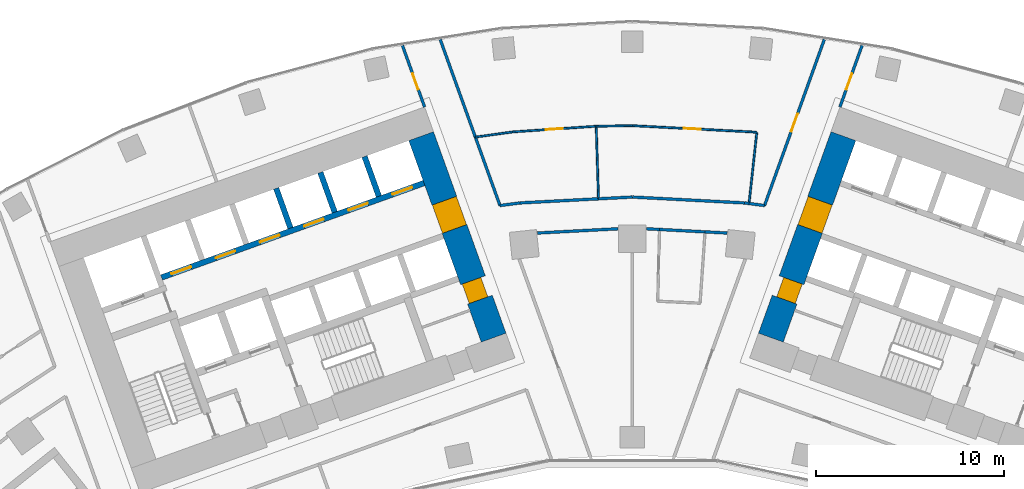
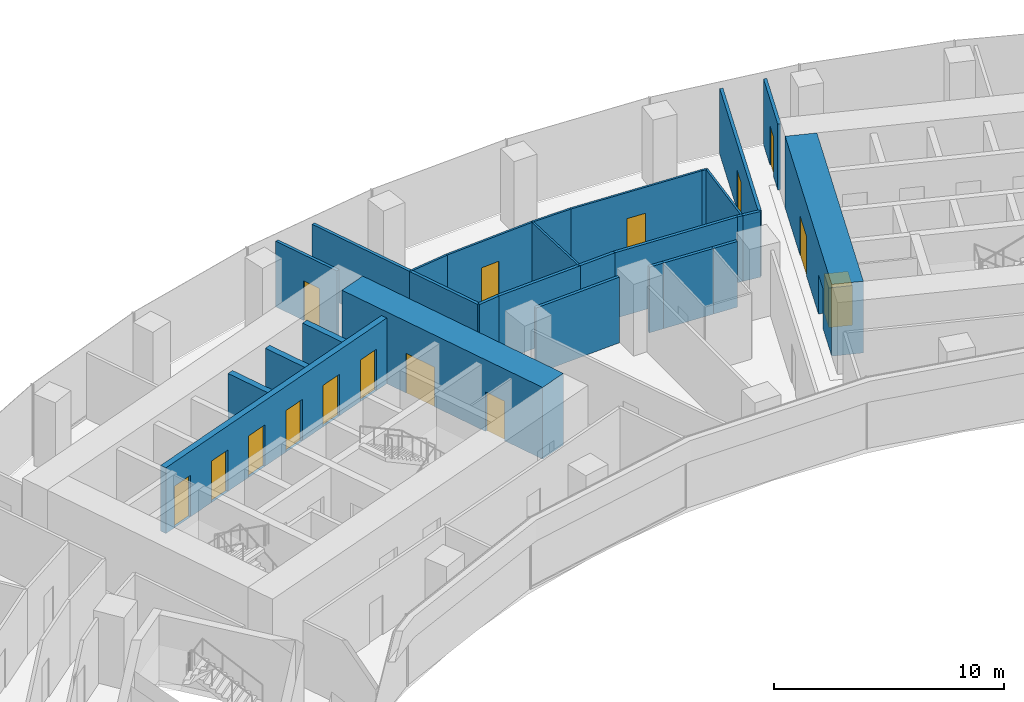
# One storey, part 16 of 21: 28 walls, 15 doors, 15 openings.
"""IFC4 building model written with IfcOpenShell, lengths in metres."""

from ifc_helpers import new_model, si_unit, direction, frame, frame_2d, origin, place, context, subcontext, project, spatial, rectangle, extrude, material, layer, layer_set, type_object, element, fill, save


model = new_model("IFC4")

# Units and contexts
model_context = context("Model", 3, precision=1e-05, world=origin(), true_north=direction((0.0, 1.0)))
body_context = subcontext(model_context, "Body", "Model", "MODEL_VIEW")
ifc_project = project(units=[si_unit("LENGTHUNIT", "METRE"), si_unit("AREAUNIT", "SQUARE_METRE"), si_unit("VOLUMEUNIT", "CUBIC_METRE"), si_unit("PLANEANGLEUNIT", "RADIAN"), si_unit("MASSUNIT", "GRAM", prefix="KILO")], contexts=[model_context])

# Site, building, storey
site_placement = place(None, origin())
site = spatial("IfcSite", under=ifc_project, at=site_placement, CompositionType="ELEMENT")
building_placement = place(site_placement, origin())
building = spatial("IfcBuilding", under=site, at=building_placement, Name="Stone Belt Terrace Tower", CompositionType="ELEMENT")
storey_placement = place(building_placement, frame((0.0, 0.0, 94.60009765625)))
storey = spatial("IfcBuildingStorey", under=building, at=storey_placement, Name="L22", CompositionType="ELEMENT", Elevation=94.60009765625)

# Wall, openings, doors
ifc_material_1 = material(Name="Concrete B80", Category="concrete")
ifc_layer_1 = layer(ifc_material_1, 1.39990234375)
ifc_layer_set_1 = layer_set([ifc_layer_1], Name="Core wall 1400 B80")
wall_type_1 = type_object("IfcWallType", Name="Core wall 1400 B80", PredefinedType="SHEAR", material=ifc_layer_set_1)
wall_1_placement = place(storey_placement, frame((-7.379150390625, 49.73974609375, 0.0), z_axis=(0.0, 0.0, 1.0), x_axis=(-0.338625431531, 0.940921259788, 0.0)))
wall_1 = element("IfcWall", 1, at=wall_1_placement, inside=storey, type_object=wall_type_1, Name="Core A wall end_b L22", PredefinedType="SHEAR", context=body_context, shape_type="SweptSolid", body=[
    extrude(rectangle(XDim=11.400146484375, YDim=1.39990234375, at=frame_2d((5.7001953125, 0.0))), origin(), (0.0, 0.0, 1.0), 3.7998046875),
])
opening_1_placement = place(wall_1_placement, frame((6.14990234375, 0.0, 0.0)))
opening_1 = element("IfcOpeningElement", 2, at=opening_1_placement, cuts=wall_1, Name="Opening L22-C02", PredefinedType="OPENING", context=body_context, shape_type="SweptSolid", body=[
    extrude(rectangle(XDim=1.60009765625, YDim=2.10009765625, at=frame_2d((0.800048828125, 1.050048828125))), frame((0.0, 0.7099609375, 0.0), z_axis=(0.0, -1.0, 0.0), x_axis=(1.0, 0.0, 0.0)), (0.0, 0.0, 1.0), 1.419921875),
])
opening_2_placement = place(wall_1_placement, frame((2.14990234375, 0.0, 0.0)))
opening_2 = element("IfcOpeningElement", 3, at=opening_2_placement, cuts=wall_1, Name="Opening L22-C08", PredefinedType="OPENING", context=body_context, shape_type="SweptSolid", body=[
    extrude(rectangle(XDim=1.10009765625, YDim=2.10009765625, at=frame_2d((0.550048828125, 1.050048828125))), frame((0.0, 0.7099609375, 0.0), z_axis=(0.0, -1.0, 0.0), x_axis=(1.0, 0.0, 0.0)), (0.0, 0.0, 1.0), 1.419921875),
])
ifc_material_2 = material(Name="Timber door leaf", Category="wood")
door_type_1 = type_object("IfcDoorType", Name="Core room door 1100", OperationType="SINGLE_SWING_LEFT", PredefinedType="DOOR", material=ifc_material_2)
door_1_placement = place(opening_2_placement, origin())
door_1 = element("IfcDoor", 4, at=door_1_placement, inside=storey, type_object=door_type_1, Name="Door to Accessible WC core A", OperationType="SINGLE_SWING_RIGHT", OverallHeight=2.10009765625, OverallWidth=1.10009765625, PredefinedType="DOOR", context=body_context, shape_type="SweptSolid", body=[
    extrude(rectangle(XDim=1.10009765625, YDim=2.10009765625, at=frame_2d((0.550048828125, 1.050048828125))), frame((0.0, 0.60498046875, 0.0), z_axis=(0.0, -1.0, 0.0), x_axis=(1.0, 0.0, 0.0)), (0.0, 0.0, 1.0), 1.050048828125),
])
fill(opening_2, door_1)
ifc_material_3 = material(Name="Glazed aluminium door leaf", Category="aluminium")
door_type_2 = type_object("IfcDoorType", Name="Lift lobby entrance door 1600", OperationType="DOUBLE_DOOR_SINGLE_SWING", PredefinedType="DOOR", material=ifc_material_3)
door_2_placement = place(opening_1_placement, origin())
door_2 = element("IfcDoor", 5, at=door_2_placement, inside=storey, type_object=door_type_2, Name="Lift lobby entrance door core A", OperationType="DOUBLE_DOOR_SINGLE_SWING", OverallHeight=2.10009765625, OverallWidth=1.60009765625, PredefinedType="DOOR", context=body_context, shape_type="SweptSolid", body=[
    extrude(rectangle(XDim=1.60009765625, YDim=2.10009765625, at=frame_2d((0.800048828125, 1.050048828125))), frame((0.0, 0.68017578125, 0.0), z_axis=(0.0, -1.0, 0.0), x_axis=(1.0, 0.0, 0.0)), (0.0, 0.0, 1.0), 1.360107421875),
])
fill(opening_1, door_2)

wall_2_placement = place(storey_placement, frame((7.379150390625, 49.73974609375, 0.0), z_axis=(0.0, 0.0, 1.0), x_axis=(0.338625431531, 0.940921259788, 0.0)))
wall_2 = element("IfcWall", 6, at=wall_2_placement, inside=storey, type_object=wall_type_1, Name="Core B wall end_a L22", PredefinedType="SHEAR", context=body_context, shape_type="SweptSolid", body=[
    extrude(rectangle(XDim=11.400146484375, YDim=1.39990234375, at=frame_2d((5.7001953125, 0.0))), origin(), (0.0, 0.0, 1.0), 3.7998046875),
])
opening_3_placement = place(wall_2_placement, frame((6.14990234375, 0.0, 0.0)))
opening_3 = element("IfcOpeningElement", 7, at=opening_3_placement, cuts=wall_2, Name="Opening L22-C11", PredefinedType="OPENING", context=body_context, shape_type="SweptSolid", body=[
    extrude(rectangle(XDim=1.60009765625, YDim=2.10009765625, at=frame_2d((0.800048828125, 1.050048828125))), frame((0.0, 0.7099609375, 0.0), z_axis=(0.0, -1.0, 0.0), x_axis=(1.0, 0.0, 0.0)), (0.0, 0.0, 1.0), 1.419921875),
])
opening_4_placement = place(wall_2_placement, frame((2.14990234375, 0.0, 0.0)))
opening_4 = element("IfcOpeningElement", 8, at=opening_4_placement, cuts=wall_2, Name="Opening L22-C17", PredefinedType="OPENING", context=body_context, shape_type="SweptSolid", body=[
    extrude(rectangle(XDim=1.10009765625, YDim=2.10009765625, at=frame_2d((0.550048828125, 1.050048828125))), frame((0.0, 0.7099609375, 0.0), z_axis=(0.0, -1.0, 0.0), x_axis=(1.0, 0.0, 0.0)), (0.0, 0.0, 1.0), 1.419921875),
])
door_3_placement = place(opening_4_placement, origin())
door_3 = element("IfcDoor", 9, at=door_3_placement, inside=storey, type_object=door_type_1, Name="Door to Accessible WC core B", OperationType="SINGLE_SWING_LEFT", OverallHeight=2.10009765625, OverallWidth=1.10009765625, PredefinedType="DOOR", context=body_context, shape_type="SweptSolid", body=[
    extrude(rectangle(XDim=1.10009765625, YDim=2.10009765625, at=frame_2d((0.550048828125, 1.050048828125))), frame((0.0, 0.44482421875, 0.0), z_axis=(0.0, -1.0, 0.0), x_axis=(1.0, 0.0, 0.0)), (0.0, 0.0, 1.0), 1.050048828125),
])
fill(opening_4, door_3)
door_4_placement = place(opening_3_placement, origin())
door_4 = element("IfcDoor", 10, at=door_4_placement, inside=storey, type_object=door_type_2, Name="Lift lobby entrance door core B", OperationType="DOUBLE_DOOR_SINGLE_SWING", OverallHeight=2.10009765625, OverallWidth=1.60009765625, PredefinedType="DOOR", context=body_context, shape_type="SweptSolid", body=[
    extrude(rectangle(XDim=1.60009765625, YDim=2.10009765625, at=frame_2d((0.800048828125, 1.050048828125))), frame((0.0, 0.68017578125, 0.0), z_axis=(0.0, -1.0, 0.0), x_axis=(1.0, 0.0, 0.0)), (0.0, 0.0, 1.0), 1.360107421875),
])
fill(opening_3, door_4)

ifc_layer_2 = layer(ifc_material_1, 0.300048828125)
ifc_layer_set_2 = layer_set([ifc_layer_2], Name="Lift shaft wall 300")
wall_type_2 = type_object("IfcWallType", Name="Lift shaft wall 300", PredefinedType="SHEAR", material=ifc_layer_set_2)
wall_3_placement = place(storey_placement, frame((-25.05810546875, 52.9423828125, 0.0), z_axis=(0.0, 0.0, 1.0), x_axis=(0.940918215764, 0.338633889685, 0.0)))
wall_3 = element("IfcWall", 11, at=wall_3_placement, inside=storey, type_object=wall_type_2, Name="Core A wall", PredefinedType="SHEAR", context=body_context, shape_type="SweptSolid", body=[
    extrude(rectangle(XDim=14.850341796875, YDim=0.300048828125, at=frame_2d((7.42529296875, 0.0))), origin(), (0.0, 0.0, 1.0), 3.47998046875),
])
opening_5_placement = place(wall_3_placement, frame((0.570068359375, 0.0, 0.0)))
opening_5 = element("IfcOpeningElement", 12, at=opening_5_placement, cuts=wall_3, Name="Opening L22-LD01", PredefinedType="OPENING", context=body_context, shape_type="SweptSolid", body=[
    extrude(rectangle(XDim=1.10009765625, YDim=2.199951171875, at=frame_2d((0.550048828125, 1.10009765625))), frame((0.0, 0.159912109375, 0.0), z_axis=(0.0, -1.0, 0.0), x_axis=(1.0, 0.0, 0.0)), (0.0, 0.0, 1.0), 0.320068359375),
])
opening_6_placement = place(wall_3_placement, frame((3.070068359375, 0.0, 0.0)))
opening_6 = element("IfcOpeningElement", 13, at=opening_6_placement, cuts=wall_3, Name="Opening L22-LD02", PredefinedType="OPENING", context=body_context, shape_type="SweptSolid", body=[
    extrude(rectangle(XDim=1.10009765625, YDim=2.199951171875, at=frame_2d((0.550048828125, 1.10009765625))), frame((0.0, 0.159912109375, 0.0), z_axis=(0.0, -1.0, 0.0), x_axis=(1.0, 0.0, 0.0)), (0.0, 0.0, 1.0), 0.320068359375),
])
opening_7_placement = place(wall_3_placement, frame((5.570068359375, 0.0, 0.0)))
opening_7 = element("IfcOpeningElement", 14, at=opening_7_placement, cuts=wall_3, Name="Opening L22-LD03", PredefinedType="OPENING", context=body_context, shape_type="SweptSolid", body=[
    extrude(rectangle(XDim=1.10009765625, YDim=2.199951171875, at=frame_2d((0.550048828125, 1.10009765625))), frame((0.0, 0.159912109375, 0.0), z_axis=(0.0, -1.0, 0.0), x_axis=(1.0, 0.0, 0.0)), (0.0, 0.0, 1.0), 0.320068359375),
])
opening_8_placement = place(wall_3_placement, frame((8.070068359375, 0.0, 0.0)))
opening_8 = element("IfcOpeningElement", 15, at=opening_8_placement, cuts=wall_3, Name="Opening L22-LD04", PredefinedType="OPENING", context=body_context, shape_type="SweptSolid", body=[
    extrude(rectangle(XDim=1.10009765625, YDim=2.199951171875, at=frame_2d((0.550048828125, 1.10009765625))), frame((0.0, 0.159912109375, 0.0), z_axis=(0.0, -1.0, 0.0), x_axis=(1.0, 0.0, 0.0)), (0.0, 0.0, 1.0), 0.320068359375),
])
opening_9_placement = place(wall_3_placement, frame((10.570068359375, 0.0, 0.0)))
opening_9 = element("IfcOpeningElement", 16, at=opening_9_placement, cuts=wall_3, Name="Opening L22-LD05", PredefinedType="OPENING", context=body_context, shape_type="SweptSolid", body=[
    extrude(rectangle(XDim=1.10009765625, YDim=2.199951171875, at=frame_2d((0.550048828125, 1.10009765625))), frame((0.0, 0.159912109375, 0.0), z_axis=(0.0, -1.0, 0.0), x_axis=(1.0, 0.0, 0.0)), (0.0, 0.0, 1.0), 0.320068359375),
])
opening_10_placement = place(wall_3_placement, frame((13.070068359375, 0.0, 0.0)))
opening_10 = element("IfcOpeningElement", 17, at=opening_10_placement, cuts=wall_3, Name="Opening L22-LD06", PredefinedType="OPENING", context=body_context, shape_type="SweptSolid", body=[
    extrude(rectangle(XDim=1.10009765625, YDim=2.199951171875, at=frame_2d((0.550048828125, 1.10009765625))), frame((0.0, 0.159912109375, 0.0), z_axis=(0.0, -1.0, 0.0), x_axis=(1.0, 0.0, 0.0)), (0.0, 0.0, 1.0), 0.320068359375),
])
ifc_material_4 = material(Name="Stainless steel door leaf", Category="steel")
door_type_3 = type_object("IfcDoorType", Name="Landing door 1100", OperationType="SLIDING_TO_LEFT", PredefinedType="DOOR", material=ifc_material_4)
door_5_placement = place(opening_5_placement, origin())
door_5 = element("IfcDoor", 18, at=door_5_placement, inside=storey, type_object=door_type_3, Name="Landing door LR1 core A", OperationType="SLIDING_TO_LEFT", OverallHeight=2.199951171875, OverallWidth=1.10009765625, PredefinedType="DOOR", context=body_context, shape_type="SweptSolid", body=[
    extrude(rectangle(XDim=1.10009765625, YDim=2.199951171875, at=frame_2d((0.550048828125, 1.10009765625))), frame((0.0, 0.02490234375, 0.0), z_axis=(0.0, -1.0, 0.0), x_axis=(1.0, 0.0, 0.0)), (0.0, 0.0, 1.0), 0.050048828125),
])
fill(opening_5, door_5)
door_6_placement = place(opening_6_placement, origin())
door_6 = element("IfcDoor", 19, at=door_6_placement, inside=storey, type_object=door_type_3, Name="Landing door LR2 core A", OperationType="SLIDING_TO_LEFT", OverallHeight=2.199951171875, OverallWidth=1.10009765625, PredefinedType="DOOR", context=body_context, shape_type="SweptSolid", body=[
    extrude(rectangle(XDim=1.10009765625, YDim=2.199951171875, at=frame_2d((0.550048828125, 1.10009765625))), frame((0.0, 0.02490234375, 0.0), z_axis=(0.0, -1.0, 0.0), x_axis=(1.0, 0.0, 0.0)), (0.0, 0.0, 1.0), 0.050048828125),
])
fill(opening_6, door_6)
door_7_placement = place(opening_7_placement, origin())
door_7 = element("IfcDoor", 20, at=door_7_placement, inside=storey, type_object=door_type_3, Name="Landing door LR3 core A", OperationType="SLIDING_TO_LEFT", OverallHeight=2.199951171875, OverallWidth=1.10009765625, PredefinedType="DOOR", context=body_context, shape_type="SweptSolid", body=[
    extrude(rectangle(XDim=1.10009765625, YDim=2.199951171875, at=frame_2d((0.550048828125, 1.10009765625))), frame((0.0, 0.02490234375, 0.0), z_axis=(0.0, -1.0, 0.0), x_axis=(1.0, 0.0, 0.0)), (0.0, 0.0, 1.0), 0.050048828125),
])
fill(opening_7, door_7)
door_8_placement = place(opening_8_placement, origin())
door_8 = element("IfcDoor", 21, at=door_8_placement, inside=storey, type_object=door_type_3, Name="Landing door LR4 core A", OperationType="SLIDING_TO_LEFT", OverallHeight=2.199951171875, OverallWidth=1.10009765625, PredefinedType="DOOR", context=body_context, shape_type="SweptSolid", body=[
    extrude(rectangle(XDim=1.10009765625, YDim=2.199951171875, at=frame_2d((0.550048828125, 1.10009765625))), frame((0.0, 0.02490234375, 0.0), z_axis=(0.0, -1.0, 0.0), x_axis=(1.0, 0.0, 0.0)), (0.0, 0.0, 1.0), 0.050048828125),
])
fill(opening_8, door_8)
door_9_placement = place(opening_9_placement, origin())
door_9 = element("IfcDoor", 22, at=door_9_placement, inside=storey, type_object=door_type_3, Name="Landing door LR5 core A", OperationType="SLIDING_TO_LEFT", OverallHeight=2.199951171875, OverallWidth=1.10009765625, PredefinedType="DOOR", context=body_context, shape_type="SweptSolid", body=[
    extrude(rectangle(XDim=1.10009765625, YDim=2.199951171875, at=frame_2d((0.550048828125, 1.10009765625))), frame((0.0, 0.02490234375, 0.0), z_axis=(0.0, -1.0, 0.0), x_axis=(1.0, 0.0, 0.0)), (0.0, 0.0, 1.0), 0.050048828125),
])
fill(opening_9, door_9)
door_10_placement = place(opening_10_placement, origin())
door_10 = element("IfcDoor", 23, at=door_10_placement, inside=storey, type_object=door_type_3, Name="Landing door LR6 core A", OperationType="SLIDING_TO_LEFT", OverallHeight=2.199951171875, OverallWidth=1.10009765625, PredefinedType="DOOR", context=body_context, shape_type="SweptSolid", body=[
    extrude(rectangle(XDim=1.10009765625, YDim=2.199951171875, at=frame_2d((0.550048828125, 1.10009765625))), frame((0.0, 0.02490234375, 0.0), z_axis=(0.0, -1.0, 0.0), x_axis=(1.0, 0.0, 0.0)), (0.0, 0.0, 1.0), 0.050048828125),
])
fill(opening_10, door_10)

# Walls
wall_4_placement = place(storey_placement, frame((-18.193115234375, 55.572509765625, 0.0), z_axis=(0.0, 0.0, 1.0), x_axis=(-0.338535034312, 0.940953787677, 0.0)))
element("IfcWall", 24, at=wall_4_placement, inside=storey, type_object=wall_type_2, Name="Core A wall", PredefinedType="SHEAR", context=body_context, shape_type="SweptSolid", body=[
    extrude(rectangle(XDim=2.25, YDim=0.300048828125, at=frame_2d((1.125, 0.0))), origin(), (0.0, 0.0, 1.0), 3.47998046875),
])
wall_5_placement = place(storey_placement, frame((-15.8408203125, 56.419189453125, 0.0), z_axis=(0.0, 0.0, 1.0), x_axis=(-0.338569601369, 0.940941350472, 0.0)))
element("IfcWall", 25, at=wall_5_placement, inside=storey, type_object=wall_type_2, Name="Core A wall", PredefinedType="SHEAR", context=body_context, shape_type="SweptSolid", body=[
    extrude(rectangle(XDim=2.249755859375, YDim=0.300048828125, at=frame_2d((1.125, 0.0))), origin(), (0.0, 0.0, 1.0), 3.47998046875),
])
wall_6_placement = place(storey_placement, frame((-13.48828125, 57.265625, 0.0), z_axis=(0.0, 0.0, 1.0), x_axis=(-0.338631098537, 0.940919220286, 0.0)))
element("IfcWall", 26, at=wall_6_placement, inside=storey, type_object=wall_type_2, Name="Core A wall", PredefinedType="SHEAR", context=body_context, shape_type="SweptSolid", body=[
    extrude(rectangle(XDim=2.250244140625, YDim=0.300048828125, at=frame_2d((1.125, 0.0))), origin(), (0.0, 0.0, 1.0), 3.47998046875),
])

# Wall, opening, door
ifc_material_5 = material(Name="Gypsum board partition")
ifc_layer_3 = layer(ifc_material_5, 0.10009765625)
ifc_layer_set_3 = layer_set([ifc_layer_3], Name="PARTITION 100")
wall_type_3 = type_object("IfcWallType", Name="PARTITION 100", PredefinedType="PARTITIONING", material=ifc_layer_set_3)
wall_7_placement = place(storey_placement, frame((-1.9189453125, 60.9951171875, 0.0), z_axis=(0.0, 0.0, 1.0), x_axis=(-0.997682007636, -0.068048597631, 0.0)))
wall_7 = element("IfcWall", 27, at=wall_7_placement, inside=storey, type_object=wall_type_3, Name="L22/wall/i093", PredefinedType="PARTITIONING", context=body_context, shape_type="SweptSolid", body=[
    extrude(rectangle(XDim=4.47021484375, YDim=0.10009765625, at=frame_2d((2.235107421875, 0.0))), origin(), (0.0, 0.0, 1.0), 3.47998046875),
])
opening_11_placement = place(wall_7_placement, frame((1.78515625, 0.0, 0.0)))
opening_11 = element("IfcOpeningElement", 28, at=opening_11_placement, cuts=wall_7, Name="Opening D-B2-30", PredefinedType="OPENING", context=body_context, shape_type="SweptSolid", body=[
    extrude(rectangle(XDim=0.89990234375, YDim=2.10009765625, at=frame_2d((0.449951171875, 1.050048828125))), frame((0.0, 0.06005859375, 0.0), z_axis=(0.0, -1.0, 0.0), x_axis=(1.0, 0.0, 0.0)), (0.0, 0.0, 1.0), 0.1201171875),
])
door_type_4 = type_object("IfcDoorType", Name="OFFICE DOOR 900 X 2100", OperationType="NOTDEFINED", PredefinedType="DOOR", material=ifc_material_2)
door_11_placement = place(opening_11_placement, origin())
door_11 = element("IfcDoor", 29, at=door_11_placement, inside=storey, type_object=door_type_4, Name="L22/door/i30", OperationType="SINGLE_SWING_RIGHT", OverallHeight=2.10009765625, OverallWidth=0.89990234375, PredefinedType="DOOR", context=body_context, shape_type="SweptSolid", body=[
    extrude(rectangle(XDim=0.89990234375, YDim=2.10009765625, at=frame_2d((0.449951171875, 1.050048828125))), frame((0.0, 0.02490234375, 0.0), z_axis=(0.0, -1.0, 0.0), x_axis=(1.0, 0.0, 0.0)), (0.0, 0.0, 1.0), 0.050048828125),
])
fill(opening_11, door_11)

# Walls
wall_8_placement = place(storey_placement, frame((-6.37890625, 60.69091796875, 0.0), z_axis=(0.0, 0.0, 1.0), x_axis=(-0.990433739202, -0.137989159904, 0.0)))
element("IfcWall", 30, at=wall_8_placement, inside=storey, type_object=wall_type_3, Name="L22/wall/i094", PredefinedType="PARTITIONING", context=body_context, shape_type="SweptSolid", body=[
    extrude(rectangle(XDim=1.9921875, YDim=0.10009765625, at=frame_2d((0.99609375, 0.0))), origin(), (0.0, 0.0, 1.0), 3.47998046875),
])
wall_9_placement = place(storey_placement, frame((6.216064453125, 56.881103515625, 0.0), z_axis=(0.0, 0.0, 1.0), x_axis=(0.108487856499, 0.994097774362, 0.0)))
element("IfcWall", 31, at=wall_9_placement, inside=storey, type_object=wall_type_3, Name="L22/wall/i095", PredefinedType="PARTITIONING", context=body_context, shape_type="SweptSolid", body=[
    extrude(rectangle(XDim=3.805419921875, YDim=0.10009765625, at=frame_2d((1.90283203125, 0.0))), origin(), (0.0, 0.0, 1.0), 3.47998046875),
])
wall_10_placement = place(storey_placement, frame((6.62890625, 60.6640625, 0.0), z_axis=(0.0, 0.0, 1.0), x_axis=(-0.994279729671, 0.106807392836, 0.0)))
element("IfcWall", 32, at=wall_10_placement, inside=storey, type_object=wall_type_3, Name="L22/wall/i096", PredefinedType="PARTITIONING", context=body_context, shape_type="SweptSolid", body=[
    extrude(rectangle(XDim=0.25146484375, YDim=0.10009765625, at=frame_2d((0.125732421875, 0.0))), origin(), (0.0, 0.0, 1.0), 3.47998046875),
])

# Wall, opening, door
wall_11_placement = place(storey_placement, frame((6.37890625, 60.69091796875, 0.0), z_axis=(0.0, 0.0, 1.0), x_axis=(-0.998632151247, 0.052286006694, 0.0)))
wall_11 = element("IfcWall", 33, at=wall_11_placement, inside=storey, type_object=wall_type_3, Name="L22/wall/i097", PredefinedType="PARTITIONING", context=body_context, shape_type="SweptSolid", body=[
    extrude(rectangle(XDim=6.3876953125, YDim=0.10009765625, at=frame_2d((3.19384765625, 0.0))), origin(), (0.0, 0.0, 1.0), 3.47998046875),
])
opening_12_placement = place(wall_11_placement, frame((2.743896484375, 0.0, 0.0)))
opening_12 = element("IfcOpeningElement", 34, at=opening_12_placement, cuts=wall_11, Name="Opening D-B2-31", PredefinedType="OPENING", context=body_context, shape_type="SweptSolid", body=[
    extrude(rectangle(XDim=0.89990234375, YDim=2.10009765625, at=frame_2d((0.449951171875, 1.050048828125))), frame((0.0, 0.06005859375, 0.0), z_axis=(0.0, -1.0, 0.0), x_axis=(1.0, 0.0, 0.0)), (0.0, 0.0, 1.0), 0.1201171875),
])
door_12_placement = place(opening_12_placement, origin())
door_12 = element("IfcDoor", 35, at=door_12_placement, inside=storey, type_object=door_type_4, Name="L22/door/i31", OperationType="SINGLE_SWING_RIGHT", OverallHeight=2.10009765625, OverallWidth=0.89990234375, PredefinedType="DOOR", context=body_context, shape_type="SweptSolid", body=[
    extrude(rectangle(XDim=0.89990234375, YDim=2.10009765625, at=frame_2d((0.449951171875, 1.050048828125))), frame((0.0, 0.02490234375, 0.0), z_axis=(0.0, -1.0, 0.0), x_axis=(1.0, 0.0, 0.0)), (0.0, 0.0, 1.0), 0.050048828125),
])
fill(opening_12, door_12)

# Walls
wall_12_placement = place(storey_placement, frame((0.0, 61.02490234375, 0.0), z_axis=(0.0, 0.0, 1.0), x_axis=(-0.999879561286, -0.015519759094, 0.0)))
element("IfcWall", 36, at=wall_12_placement, inside=storey, type_object=wall_type_3, Name="L22/wall/i098", PredefinedType="PARTITIONING", context=body_context, shape_type="SweptSolid", body=[
    extrude(rectangle(XDim=1.919189453125, YDim=0.10009765625, at=frame_2d((0.95947265625, 0.0))), origin(), (0.0, 0.0, 1.0), 3.47998046875),
])
wall_13_placement = place(storey_placement, frame((-1.9189453125, 60.9951171875, 0.0), z_axis=(0.0, 0.0, 1.0), x_axis=(0.03151274226, -0.999503350207, 0.0)))
element("IfcWall", 37, at=wall_13_placement, inside=storey, type_object=wall_type_3, Name="L22/wall/i099", PredefinedType="PARTITIONING", context=body_context, shape_type="SweptSolid", body=[
    extrude(rectangle(XDim=3.865966796875, YDim=0.10009765625, at=frame_2d((1.93310546875, 0.0))), origin(), (0.0, 0.0, 1.0), 3.47998046875),
])

# Wall, opening, door
ifc_layer_4 = layer(ifc_material_5, 0.14990234375)
ifc_layer_set_4 = layer_set([ifc_layer_4], Name="PARTITION 150 EI 60")
wall_type_4 = type_object("IfcWallType", Name="PARTITION 150 EI 60", PredefinedType="PARTITIONING", material=ifc_layer_set_4)
wall_14_placement = place(storey_placement, frame((-11.054931640625, 62.02099609375, 0.0), z_axis=(0.0, 0.0, 1.0), x_axis=(-0.338853532575, 0.94083913793, 0.0)))
wall_14 = element("IfcWall", 38, at=wall_14_placement, inside=storey, type_object=wall_type_4, Name="L22/wall/i008", PredefinedType="PARTITIONING", context=body_context, shape_type="SweptSolid", body=[
    extrude(rectangle(XDim=3.482177734375, YDim=0.14990234375, at=frame_2d((1.7412109375, 0.0))), origin(), (0.0, 0.0, 1.0), 3.47998046875),
])
opening_13_placement = place(wall_14_placement, frame((0.99365234375, 0.0, 0.0)))
opening_13 = element("IfcOpeningElement", 39, at=opening_13_placement, cuts=wall_14, Name="Opening D-B2-04", PredefinedType="OPENING", context=body_context, shape_type="SweptSolid", body=[
    extrude(rectangle(XDim=0.89990234375, YDim=2.10009765625, at=frame_2d((0.449951171875, 1.050048828125))), frame((0.0, 0.0849609375, 0.0), z_axis=(0.0, -1.0, 0.0), x_axis=(1.0, 0.0, 0.0)), (0.0, 0.0, 1.0), 0.169921875),
])
door_13_placement = place(opening_13_placement, origin())
door_13 = element("IfcDoor", 40, at=door_13_placement, inside=storey, type_object=door_type_4, Name="L22/door/i04", OperationType="SINGLE_SWING_LEFT", OverallHeight=2.10009765625, OverallWidth=0.89990234375, PredefinedType="DOOR", context=body_context, shape_type="SweptSolid", body=[
    extrude(rectangle(XDim=0.89990234375, YDim=2.10009765625, at=frame_2d((0.449951171875, 1.050048828125))), frame((0.0, 0.02490234375, 0.0), z_axis=(0.0, -1.0, 0.0), x_axis=(1.0, 0.0, 0.0)), (0.0, 0.0, 1.0), 0.050048828125),
])
fill(opening_13, door_13)

# Walls
wall_15_placement = place(storey_placement, frame((-10.223876953125, 65.6162109375, 0.0), z_axis=(0.0, 0.0, 1.0), x_axis=(0.338641346264, -0.940915532128, 0.0)))
element("IfcWall", 41, at=wall_15_placement, inside=storey, type_object=wall_type_4, Name="L22/wall/i010", PredefinedType="PARTITIONING", context=body_context, shape_type="SweptSolid", body=[
    extrude(rectangle(XDim=5.533203125, YDim=0.14990234375, at=frame_2d((2.7666015625, 0.0))), origin(), (0.0, 0.0, 1.0), 3.47998046875),
])
wall_16_placement = place(storey_placement, frame((-8.35400390625, 60.422119140625, 0.0), z_axis=(0.0, 0.0, 1.0), x_axis=(0.338521378742, -0.940958700547, 0.0)))
element("IfcWall", 42, at=wall_16_placement, inside=storey, type_object=wall_type_4, Name="L22/wall/i011", PredefinedType="PARTITIONING", context=body_context, shape_type="SweptSolid", body=[
    extrude(rectangle(XDim=3.88427734375, YDim=0.14990234375, at=frame_2d((1.942138671875, 0.0))), origin(), (0.0, 0.0, 1.0), 3.47998046875),
])

# Wall, opening, door
wall_17_placement = place(storey_placement, frame((12.23486328125, 65.297119140625, 0.0), z_axis=(0.0, 0.0, 1.0), x_axis=(-0.338853532575, -0.94083913793, 0.0)))
wall_17 = element("IfcWall", 43, at=wall_17_placement, inside=storey, type_object=wall_type_4, Name="L22/wall/i017", PredefinedType="PARTITIONING", context=body_context, shape_type="SweptSolid", body=[
    extrude(rectangle(XDim=3.482177734375, YDim=0.14990234375, at=frame_2d((1.7412109375, 0.0))), origin(), (0.0, 0.0, 1.0), 3.47998046875),
])
opening_14_placement = place(wall_17_placement, frame((1.58837890625, 0.0, 0.0)))
opening_14 = element("IfcOpeningElement", 44, at=opening_14_placement, cuts=wall_17, Name="Opening D-B2-07", PredefinedType="OPENING", context=body_context, shape_type="SweptSolid", body=[
    extrude(rectangle(XDim=0.89990234375, YDim=2.10009765625, at=frame_2d((0.449951171875, 1.050048828125))), frame((0.0, 0.0849609375, 0.0), z_axis=(0.0, -1.0, 0.0), x_axis=(1.0, 0.0, 0.0)), (0.0, 0.0, 1.0), 0.169921875),
])
door_14_placement = place(opening_14_placement, origin())
door_14 = element("IfcDoor", 45, at=door_14_placement, inside=storey, type_object=door_type_4, Name="L22/door/i07", OperationType="SINGLE_SWING_RIGHT", OverallHeight=2.10009765625, OverallWidth=0.89990234375, PredefinedType="DOOR", context=body_context, shape_type="SweptSolid", body=[
    extrude(rectangle(XDim=0.89990234375, YDim=2.10009765625, at=frame_2d((0.449951171875, 1.050048828125))), frame((0.0, 0.02490234375, 0.0), z_axis=(0.0, -1.0, 0.0), x_axis=(1.0, 0.0, 0.0)), (0.0, 0.0, 1.0), 0.050048828125),
])
fill(opening_14, door_14)

wall_18_placement = place(storey_placement, frame((7.0390625, 56.76708984375, 0.0), z_axis=(0.0, 0.0, 1.0), x_axis=(0.338637655092, 0.940916860596, 0.0)))
wall_18 = element("IfcWall", 46, at=wall_18_placement, inside=storey, type_object=wall_type_4, Name="L22/wall/i019", PredefinedType="PARTITIONING", context=body_context, shape_type="SweptSolid", body=[
    extrude(rectangle(XDim=9.40478515625, YDim=0.14990234375, at=frame_2d((4.702392578125, 0.0))), origin(), (0.0, 0.0, 1.0), 3.47998046875),
])
opening_15_placement = place(wall_18_placement, frame((4.202392578125, 0.0, 0.0)))
opening_15 = element("IfcOpeningElement", 47, at=opening_15_placement, cuts=wall_18, Name="Opening D-B2-29", PredefinedType="OPENING", context=body_context, shape_type="SweptSolid", body=[
    extrude(rectangle(XDim=1.0, YDim=2.10009765625, at=frame_2d((0.5, 1.050048828125))), frame((0.0, 0.0849609375, 0.0), z_axis=(0.0, -1.0, 0.0), x_axis=(1.0, 0.0, 0.0)), (0.0, 0.0, 1.0), 0.169921875),
])
ifc_material_6 = material(Name="Timber fire door leaf", Category="wood")
door_type_5 = type_object("IfcDoorType", Name="TENANCY ENTRANCE DOOR 1000 X 2100", OperationType="NOTDEFINED", PredefinedType="DOOR", material=ifc_material_6)
door_15_placement = place(opening_15_placement, origin())
door_15 = element("IfcDoor", 48, at=door_15_placement, inside=storey, type_object=door_type_5, Name="L22/door/i29", OperationType="SINGLE_SWING_RIGHT", OverallHeight=2.10009765625, OverallWidth=1.0, PredefinedType="DOOR", context=body_context, shape_type="SweptSolid", body=[
    extrude(rectangle(XDim=1.0, YDim=2.10009765625, at=frame_2d((0.5, 1.050048828125))), frame((0.0, 0.02490234375, 0.0), z_axis=(0.0, -1.0, 0.0), x_axis=(1.0, 0.0, 0.0)), (0.0, 0.0, 1.0), 0.050048828125),
])
fill(opening_15, door_15)

# Walls
wall_19_placement = place(storey_placement, frame((-0.7548828125, 55.535400390625, 0.0), z_axis=(0.0, 0.0, 1.0), x_axis=(-0.998635163173, -0.052228448909, 0.0)))
element("IfcWall", 49, at=wall_19_placement, inside=storey, type_object=wall_type_4, Name="L22/wall/i079", PredefinedType="PARTITIONING", context=body_context, shape_type="SweptSolid", body=[
    extrude(rectangle(XDim=4.30517578125, YDim=0.14990234375, at=frame_2d((2.152587890625, 0.0))), origin(), (0.0, 0.0, 1.0), 3.47998046875),
])
wall_20_placement = place(storey_placement, frame((1.4599609375, 55.4990234375, 0.0), z_axis=(0.0, 0.0, 1.0), x_axis=(-0.998653890023, 0.051869142487, 0.0)))
element("IfcWall", 50, at=wall_20_placement, inside=storey, type_object=wall_type_4, Name="L22/wall/i080", PredefinedType="PARTITIONING", context=body_context, shape_type="SweptSolid", body=[
    extrude(rectangle(XDim=0.7060546875, YDim=0.14990234375, at=frame_2d((0.35302734375, 0.0))), origin(), (0.0, 0.0, 1.0), 3.47998046875),
])
wall_21_placement = place(storey_placement, frame((5.05419921875, 55.310302734375, 0.0), z_axis=(0.0, 0.0, 1.0), x_axis=(-0.998644969233, 0.052040613227, 0.0)))
element("IfcWall", 51, at=wall_21_placement, inside=storey, type_object=wall_type_4, Name="L22/wall/i081", PredefinedType="PARTITIONING", context=body_context, shape_type="SweptSolid", body=[
    extrude(rectangle(XDim=1.18701171875, YDim=0.14990234375, at=frame_2d((0.593505859375, 0.0))), origin(), (0.0, 0.0, 1.0), 3.47998046875),
])
wall_22_placement = place(storey_placement, frame((3.881103515625, 55.3720703125, 0.0), z_axis=(0.0, 0.0, 1.0), x_axis=(-0.998641532473, 0.052106521863, 0.0)))
element("IfcWall", 52, at=wall_22_placement, inside=storey, type_object=wall_type_4, Name="L22/wall/i082", PredefinedType="PARTITIONING", context=body_context, shape_type="SweptSolid", body=[
    extrude(rectangle(XDim=2.4365234375, YDim=0.14990234375, at=frame_2d((1.21826171875, 0.0))), origin(), (0.0, 0.0, 1.0), 3.47998046875),
])
wall_23_placement = place(storey_placement, frame((6.2099609375, 56.882080078125, 0.0), z_axis=(0.0, 0.0, 1.0), x_axis=(0.991487969829, -0.130198332113, 0.0)))
element("IfcWall", 53, at=wall_23_placement, inside=storey, type_object=wall_type_4, Name="L22/wall/i083", PredefinedType="PARTITIONING", context=body_context, shape_type="SweptSolid", body=[
    extrude(rectangle(XDim=0.838134765625, YDim=0.14990234375, at=frame_2d((0.4189453125, 0.0))), origin(), (0.0, 0.0, 1.0), 3.47998046875),
])
wall_24_placement = place(storey_placement, frame((-7.041015625, 56.77294921875, 0.0), z_axis=(0.0, 0.0, 1.0), x_axis=(0.991477617634, 0.130277142013, 0.0)))
element("IfcWall", 54, at=wall_24_placement, inside=storey, type_object=wall_type_4, Name="L22/wall/i084", PredefinedType="PARTITIONING", context=body_context, shape_type="SweptSolid", body=[
    extrude(rectangle(XDim=1.068115234375, YDim=0.14990234375, at=frame_2d((0.5341796875, 0.0))), origin(), (0.0, 0.0, 1.0), 3.47998046875),
])
wall_25_placement = place(storey_placement, frame((-5.98193359375, 56.912109375, 0.0), z_axis=(0.0, 0.0, 1.0), x_axis=(0.998637525461, 0.052183261117, 0.0)))
element("IfcWall", 55, at=wall_25_placement, inside=storey, type_object=wall_type_4, Name="L22/wall/i085", PredefinedType="PARTITIONING", context=body_context, shape_type="SweptSolid", body=[
    extrude(rectangle(XDim=4.196533203125, YDim=0.14990234375, at=frame_2d((2.09814453125, 0.0))), origin(), (0.0, 0.0, 1.0), 3.47998046875),
])
wall_26_placement = place(storey_placement, frame((-1.802978515625, 57.131103515625, 0.0), z_axis=(0.0, 0.0, 1.0), x_axis=(0.998643854414, 0.052062001889, 0.0)))
element("IfcWall", 56, at=wall_26_placement, inside=storey, type_object=wall_type_4, Name="L22/wall/i086", PredefinedType="PARTITIONING", context=body_context, shape_type="SweptSolid", body=[
    extrude(rectangle(XDim=1.805419921875, YDim=0.14990234375, at=frame_2d((0.90283203125, 0.0))), origin(), (0.0, 0.0, 1.0), 3.47998046875),
])
wall_27_placement = place(storey_placement, frame((0.0, 57.22509765625, 0.0), z_axis=(0.0, 0.0, 1.0), x_axis=(0.998633994648, -0.052250786921, 0.0)))
element("IfcWall", 57, at=wall_27_placement, inside=storey, type_object=wall_type_4, Name="L22/wall/i087", PredefinedType="PARTITIONING", context=body_context, shape_type="SweptSolid", body=[
    extrude(rectangle(XDim=5.990234375, YDim=0.14990234375, at=frame_2d((2.9951171875, 0.0))), origin(), (0.0, 0.0, 1.0), 3.47998046875),
])
wall_28_placement = place(storey_placement, frame((5.98193359375, 56.912109375, 0.0), z_axis=(0.0, 0.0, 1.0), x_axis=(0.991104190681, -0.133088253479, 0.0)))
element("IfcWall", 58, at=wall_28_placement, inside=storey, type_object=wall_type_4, Name="L22/wall/i088", PredefinedType="PARTITIONING", context=body_context, shape_type="SweptSolid", body=[
    extrude(rectangle(XDim=0.2421875, YDim=0.14990234375, at=frame_2d((0.12109375, 0.0))), origin(), (0.0, 0.0, 1.0), 3.47998046875),
])

save(model, "model.ifc")
